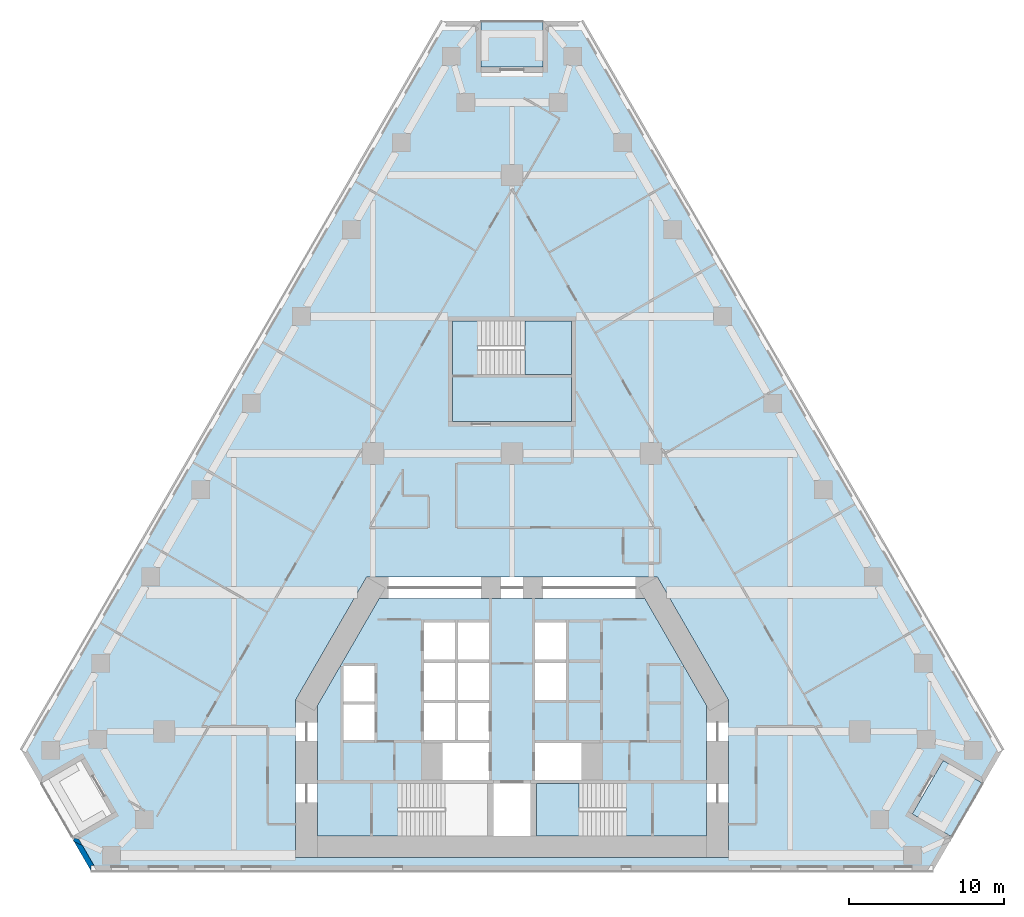
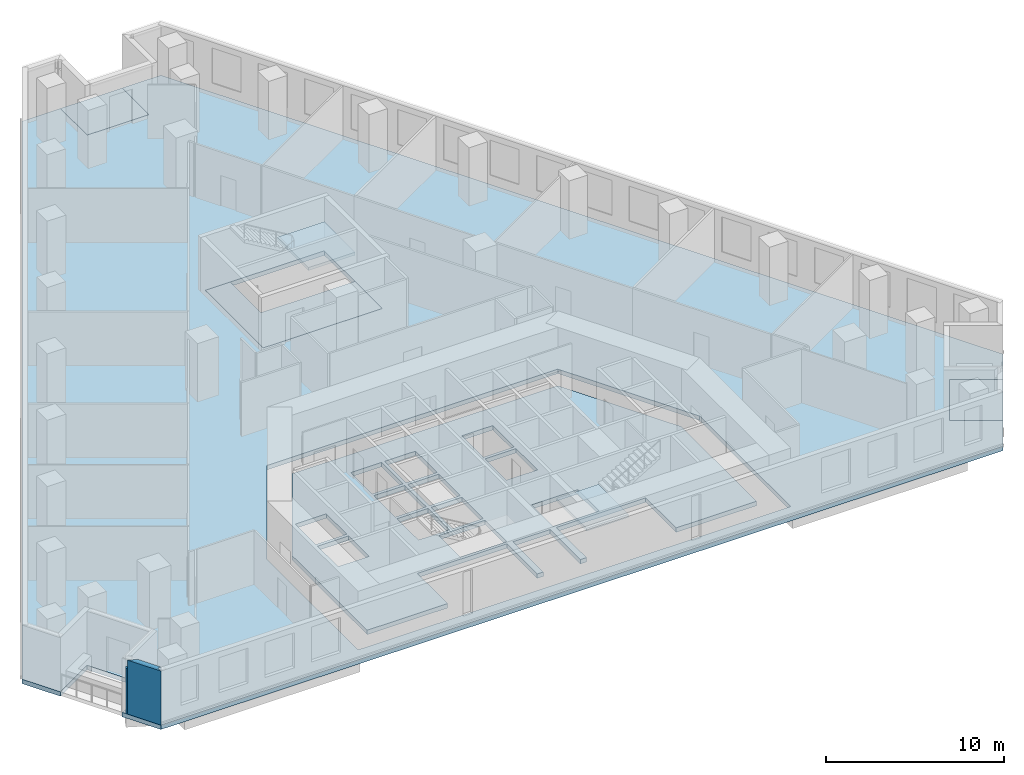
# One storey, part 2 of 11: 7 slabs, 2 walls, 2 elements without a shape of their own.
"""IFC4 building model written with IfcOpenShell, lengths in metres."""

from ifc_helpers import new_model, si_unit, direction, frame, origin, place, context, subcontext, project, spatial, polyline, outline, extrude, material, layer, layer_set, type_object, element, aggregate, save


model = new_model("IFC4")

# Units and contexts
model_context = context("Model", 3, precision=1e-05, world=origin(), true_north=direction((0.0, 1.0)))
body_context = subcontext(model_context, "Body", "Model", "MODEL_VIEW")
ifc_project = project(units=[si_unit("LENGTHUNIT", "METRE"), si_unit("AREAUNIT", "SQUARE_METRE"), si_unit("VOLUMEUNIT", "CUBIC_METRE"), si_unit("PLANEANGLEUNIT", "RADIAN"), si_unit("MASSUNIT", "GRAM", prefix="KILO")], contexts=[model_context])

# Site, building, storey
site_placement = place(None, origin())
site = spatial("IfcSite", under=ifc_project, at=site_placement, CompositionType="ELEMENT")
building_placement = place(site_placement, origin())
building = spatial("IfcBuilding", under=site, at=building_placement, Name="Fogline Exchange Tower", CompositionType="ELEMENT")
storey_placement = place(building_placement, frame((0.0, 0.0, 60.89990234375)))
storey = spatial("IfcBuildingStorey", under=building, at=storey_placement, Name="L12", CompositionType="ELEMENT", Elevation=60.89990234375)

# Slabs
ifc_material_1 = material(Name="Concrete C40", Category="concrete")
ifc_layer_1 = layer(ifc_material_1, 0.25)
ifc_layer_set_1 = layer_set([ifc_layer_1], Name="DK1")
slab_type_1 = type_object("IfcSlabType", Name="DK1", PredefinedType="FLOOR", material=ifc_layer_set_1)
slab_1_placement = place(storey_placement, frame((0.0, 0.0, -0.25)))
element("IfcSlab", 1, at=slab_1_placement, inside=storey, type_object=slab_type_1, Name="Balcony L12 SE", PredefinedType="FLOOR", context=body_context, shape_type="SweptSolid", body=[
    extrude(outline(polyline([(28.505126953125, 2.1650390625), (30.505126953125, 5.629150390625), (27.906982421875, 7.129150390625), (25.906982421875, 3.6650390625), (28.505126953125, 2.1650390625)])), origin(), (0.0, 0.0, 1.0), 0.25),
])
slab_2_placement = place(storey_placement, frame((0.0, 0.0, -0.25)))
element("IfcSlab", 2, at=slab_2_placement, inside=storey, type_object=slab_type_1, Name="Balcony L12 N", PredefinedType="FLOOR", context=body_context, shape_type="SweptSolid", body=[
    extrude(outline(polyline([(2.0, 55.001708984375), (-2.0, 55.001708984375), (-2.0, 52.001708984375), (2.0, 52.001708984375), (2.0, 55.001708984375)])), origin(), (0.0, 0.0, 1.0), 0.25),
])
ifc_layer_2 = layer(ifc_material_1, 0.300048828125)
ifc_layer_set_2 = layer_set([ifc_layer_2], Name="S04")
slab_type_2 = type_object("IfcSlabType", Name="S04", PredefinedType="FLOOR", material=ifc_layer_set_2)
slab_3_placement = place(storey_placement, frame((0.0, 0.0, -0.2998046875)))
element("IfcSlab", 3, at=slab_3_placement, inside=storey, type_object=slab_type_2, Name="SLAB L12", PredefinedType="FLOOR", context=body_context, shape_type="SweptSolid", body=[
    extrude(outline(polyline([(-2.0, 55.001708984375), (-4.5, 55.001708984375), (-31.755126953125, 7.794189453125), (-30.505126953125, 5.629150390625), (-27.906982421875, 7.129150390625), (-25.906982421875, 3.6650390625), (-28.505126953125, 2.1650390625), (-27.255126953125, 0.0), (27.255126953125, 0.0), (28.505126953125, 2.1650390625), (25.906982421875, 3.6650390625), (27.906982421875, 7.129150390625), (30.505126953125, 5.629150390625), (31.755126953125, 7.794189453125), (4.5, 55.001708984375), (2.0, 55.001708984375), (2.0, 52.001708984375), (-2.0, 52.001708984375), (-2.0, 55.001708984375)]), holes=[polyline([(14.0, 11.052490234375), (14.0, 0.85009765625), (-14.0, 0.85009765625), (-14.0, 11.052490234375), (-9.41162109375, 19.0), (9.41162109375, 19.0), (14.0, 11.052490234375)]), polyline([(3.85009765625, 35.556884765625), (3.85009765625, 29.056884765625), (-3.85009765625, 29.056884765625), (-3.85009765625, 35.556884765625), (3.85009765625, 35.556884765625)])]), origin(), (0.0, 0.0, 1.0), 0.2998046875),
])
slab_4_placement = place(storey_placement, frame((0.0, 0.0, -0.2998046875)))
element("IfcSlab", 4, at=slab_4_placement, inside=storey, type_object=slab_type_2, Name="Core floor slab", PredefinedType="FLOOR", context=body_context, shape_type="SweptSolid", body=[
    extrude(outline(polyline([(-12.60009765625, 2.25), (-12.60009765625, 10.677490234375), (-8.603271484375, 17.60009765625), (8.603271484375, 17.60009765625), (12.60009765625, 10.677490234375), (12.60009765625, 2.25), (7.389892578125, 2.25), (7.389892578125, 5.64990234375), (1.60009765625, 5.64990234375), (1.60009765625, 2.25), (1.199951171875, 2.25), (1.199951171875, 5.64990234375), (-1.199951171875, 5.64990234375), (-1.199951171875, 2.25), (-1.60009765625, 2.25), (-1.60009765625, 5.64990234375), (-7.389892578125, 5.64990234375), (-7.389892578125, 2.25), (-12.60009765625, 2.25)]), holes=[polyline([(-1.5, 8.25), (-4.5, 8.25), (-4.5, 5.85009765625), (-1.5, 5.85009765625), (-1.5, 8.25)]), polyline([(-8.89990234375, 10.75), (-10.89990234375, 10.75), (-10.89990234375, 8.449951171875), (-8.89990234375, 8.449951171875), (-8.89990234375, 10.75)]), polyline([(-3.699951171875, 10.85009765625), (-5.699951171875, 10.85009765625), (-5.699951171875, 8.449951171875), (-3.699951171875, 8.449951171875), (-3.699951171875, 10.85009765625)]), polyline([(-1.5, 10.85009765625), (-3.5, 10.85009765625), (-3.5, 8.449951171875), (-1.5, 8.449951171875), (-1.5, 10.85009765625)]), polyline([(-8.89990234375, 13.25), (-10.89990234375, 13.25), (-10.89990234375, 10.949951171875), (-8.89990234375, 10.949951171875), (-8.89990234375, 13.25)]), polyline([(-3.699951171875, 13.449951171875), (-5.699951171875, 13.449951171875), (-5.699951171875, 11.050048828125), (-3.699951171875, 11.050048828125), (-3.699951171875, 13.449951171875)]), polyline([(-3.699951171875, 16.050048828125), (-5.699951171875, 16.050048828125), (-5.699951171875, 13.64990234375), (-3.699951171875, 13.64990234375), (-3.699951171875, 16.050048828125)]), polyline([(4.5, 8.25), (1.5, 8.25), (1.5, 5.85009765625), (4.5, 5.85009765625), (4.5, 8.25)]), polyline([(-1.5, 13.449951171875), (-3.5, 13.449951171875), (-3.5, 11.050048828125), (-1.5, 11.050048828125), (-1.5, 13.449951171875)]), polyline([(3.5, 13.449951171875), (1.5, 13.449951171875), (1.5, 11.050048828125), (3.5, 11.050048828125), (3.5, 13.449951171875)]), polyline([(-1.5, 16.050048828125), (-3.5, 16.050048828125), (-3.5, 13.64990234375), (-1.5, 13.64990234375), (-1.5, 16.050048828125)]), polyline([(3.5, 16.050048828125), (1.5, 16.050048828125), (1.5, 13.64990234375), (3.5, 13.64990234375), (3.5, 16.050048828125)])]), origin(), (0.0, 0.0, 1.0), 0.2998046875),
])
slab_5_placement = place(storey_placement, frame((0.0, 0.0, -0.2998046875)))
element("IfcSlab", 5, at=slab_5_placement, inside=storey, type_object=slab_type_2, Name="Stair enclosure floor slab", PredefinedType="FLOOR", context=body_context, shape_type="SweptSolid", body=[
    extrude(outline(polyline([(3.85009765625, 29.056884765625), (-3.85009765625, 29.056884765625), (-3.85009765625, 35.556884765625), (-2.239990234375, 35.556884765625), (-2.239990234375, 32.10693359375), (3.85009765625, 32.10693359375), (3.85009765625, 29.056884765625)])), origin(), (0.0, 0.0, 1.0), 0.2998046875),
])

# Stair, slab
stair_type = type_object("IfcStairType", Name="STR24-1667", PredefinedType="HALF_TURN_STAIR", material=ifc_material_1)
stair_1_placement = place(storey_placement, origin())
stair_1 = element("IfcStair", 6, at=stair_1_placement, inside=storey, type_object=stair_type, Name="Stair ST2", PredefinedType="HALF_TURN_STAIR")
ifc_layer_3 = layer(ifc_material_1, 0.199951171875)
ifc_layer_set_3 = layer_set([ifc_layer_3], Name="SL200")
slab_type_3 = type_object("IfcSlabType", Name="SL200", PredefinedType="LANDING", material=ifc_layer_set_3)
slab_6_placement = place(storey_placement, frame((0.0, 0.0, 1.800048828125)))
slab_6 = element("IfcSlab", 7, at=slab_6_placement, type_object=slab_type_3, Name="ST2 landing 1", PredefinedType="LANDING", context=body_context, shape_type="SweptSolid", body=[
    extrude(outline(polyline([(1.60009765625, 2.25), (4.320068359375, 2.25), (4.320068359375, 5.64990234375), (1.60009765625, 5.64990234375), (1.60009765625, 2.25)])), origin(), (0.0, 0.0, 1.0), 0.199951171875),
])
aggregate(stair_1, [slab_6])

stair_2_placement = place(storey_placement, origin())
stair_2 = element("IfcStair", 8, at=stair_2_placement, inside=storey, type_object=stair_type, Name="Stair ST3", PredefinedType="HALF_TURN_STAIR")
slab_7_placement = place(storey_placement, frame((0.0, 0.0, 1.800048828125)))
slab_7 = element("IfcSlab", 9, at=slab_7_placement, type_object=slab_type_3, Name="ST3 landing 1", PredefinedType="LANDING", context=body_context, shape_type="SweptSolid", body=[
    extrude(outline(polyline([(0.830078125, 32.10693359375), (3.85009765625, 32.10693359375), (3.85009765625, 35.556884765625), (0.830078125, 35.556884765625), (0.830078125, 32.10693359375)])), origin(), (0.0, 0.0, 1.0), 0.199951171875),
])
aggregate(stair_2, [slab_7])

# Walls
ifc_material_2 = material(Name="Brick masonry", Category="masonry")
ifc_layer_4 = layer(ifc_material_2, 0.340087890625)
ifc_layer_set_4 = layer_set([ifc_layer_4], Name="FW1")
wall_type = type_object("IfcWallType", Name="FW1", PredefinedType="SOLIDWALL", material=ifc_layer_set_4)
wall_1_placement = place(storey_placement, origin())
element("IfcWall", 10, at=wall_1_placement, inside=storey, type_object=wall_type, Name="Brick wall L12 SW-c2", PredefinedType="SOLIDWALL", context=body_context, shape_type="SweptSolid", body=[
    extrude(outline(polyline([(-28.389404296875, 1.96337890625), (-28.3203125, 2.1162109375), (-28.040283203125, 2.041015625), (-27.80029296875, 1.62548828125), (-28.333740234375, 1.86669921875), (-28.389404296875, 1.96337890625)])), origin(), (0.0, 0.0, 1.0), 3.10009765625),
])
wall_2_placement = place(storey_placement, origin())
element("IfcWall", 11, at=wall_2_placement, inside=storey, type_object=wall_type, Name="Brick wall L12 SW-c2", PredefinedType="SOLIDWALL", context=body_context, shape_type="SweptSolid", body=[
    extrude(outline(polyline([(-27.254638671875, 0.33935546875), (-27.254638671875, -0.0009765625), (-27.255126953125, -0.001220703125), (-28.333740234375, 1.86669921875), (-27.80029296875, 1.62548828125), (-27.057861328125, 0.33935546875), (-27.254638671875, 0.33935546875)])), origin(), (0.0, 0.0, 1.0), 3.7001953125),
])

save(model, "model.ifc")
